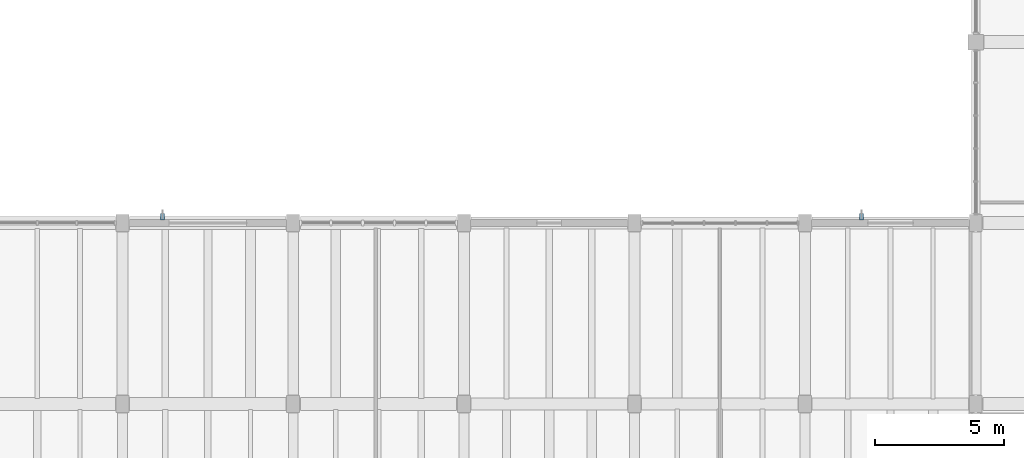
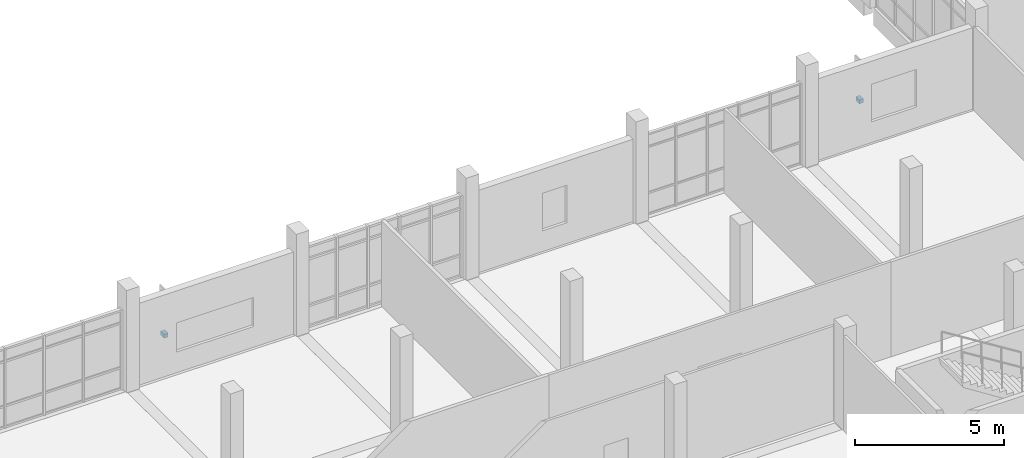
# One storey, part 57 of 67: 2 discrete accessories.
"""IFC4 building model written with IfcOpenShell, lengths in metres."""

from ifc_helpers import new_model, si_unit, direction, frame, origin, origin_2d, place, context, subcontext, project, spatial, rectangle, extrude, material, type_object, element, save


model = new_model("IFC4")

# Units and contexts
model_context = context("Model", 3, precision=1e-05, world=origin(), true_north=direction((0.0, 1.0)))
body_context = subcontext(model_context, "Body", "Model", "MODEL_VIEW")
ifc_project = project(units=[si_unit("LENGTHUNIT", "METRE"), si_unit("AREAUNIT", "SQUARE_METRE"), si_unit("VOLUMEUNIT", "CUBIC_METRE"), si_unit("PLANEANGLEUNIT", "RADIAN"), si_unit("MASSUNIT", "GRAM", prefix="KILO")], contexts=[model_context])

# Site, building, storey
site_placement = place(None, origin())
site = spatial("IfcSite", under=ifc_project, at=site_placement, CompositionType="ELEMENT")
building_placement = place(site_placement, origin())
building = spatial("IfcBuilding", under=site, at=building_placement, Name="Ciguamira Faculty of Natural Sciences", CompositionType="ELEMENT")
storey_placement = place(building_placement, frame((0.0, 0.0, 8.39990234375)))
storey = spatial("IfcBuildingStorey", under=building, at=storey_placement, Name="L02", CompositionType="ELEMENT", Elevation=8.39990234375)

# Discrete accessories
ifc_material = material(Name="Stainless steel fixing bracket", Category="steel")
discrete_accessory_type = type_object("IfcDiscreteAccessoryType", Name="FacadeBracket_BK01", PredefinedType="BRACKET", material=ifc_material)
for number, where, z_axis, x_axis, name in (
    (1, (19.25, 24.239990234375, 1.3701171875), (0.0, 0.0, 1.0), (1.0, 0.0, 0.0), "L02 sunshade fixing bracket 0018"),
    (2, (46.27490234375, 24.239990234375, 1.544921875), (0.0, 0.0, 1.0), (1.0, 0.0, 0.0), "L02 sunshade fixing bracket 0019"),
):
    element("IfcDiscreteAccessory", number, at=place(storey_placement, frame(where, z_axis=z_axis, x_axis=x_axis)), inside=storey, type_object=discrete_accessory_type, Name=name, PredefinedType="BRACKET", context=body_context, shape_type="SweptSolid", body=[
        extrude(rectangle(XDim=0.159912109375, YDim=0.239990234375, at=origin_2d()), origin(), (0.0, 0.0, 1.0), 0.159912109375),
    ])

save(model, "model.ifc")
